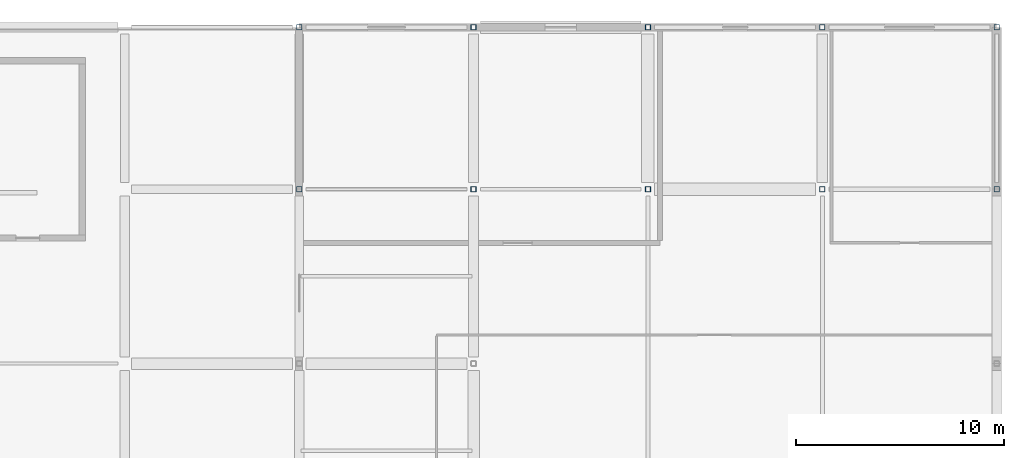
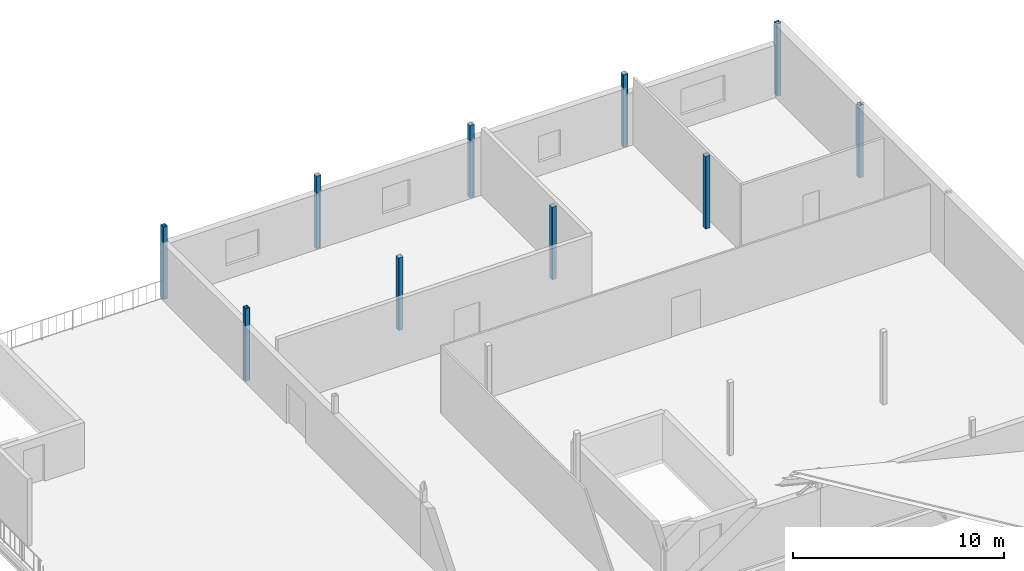
# One storey, part 8 of 64: 10 columns.
"""IFC4 building model written with IfcOpenShell, lengths in metres."""

from ifc_helpers import new_model, si_unit, derived_unit, direction, frame, origin, origin_2d, place, context, subcontext, project, spatial, hollow_rectangle, extrude, material, material_profile, profile_set, type_object, element, save


model = new_model("IFC4")

# Units and contexts
model_context = context("Model", 3, precision=1e-05, world=origin(), true_north=direction((0.0, 1.0)))
body_context = subcontext(model_context, "Body", "Model", "MODEL_VIEW")
ifc_project = project(units=[si_unit("LENGTHUNIT", "METRE"), si_unit("AREAUNIT", "SQUARE_METRE"), si_unit("VOLUMEUNIT", "CUBIC_METRE"), si_unit("PLANEANGLEUNIT", "RADIAN"), si_unit("MASSUNIT", "GRAM", prefix="KILO"), derived_unit("THERMALTRANSMITTANCEUNIT", [(si_unit("POWERUNIT", "WATT"), 1), (si_unit("LENGTHUNIT", "METRE"), -2), (si_unit("THERMODYNAMICTEMPERATUREUNIT", "KELVIN"), -1)])], contexts=[model_context])

# Site, building, storey
site_placement = place(None, origin())
site = spatial("IfcSite", under=ifc_project, at=site_placement, CompositionType="ELEMENT")
building_placement = place(site_placement, origin())
building = spatial("IfcBuilding", under=site, at=building_placement, Name="Barrovel Congress Hotel", CompositionType="ELEMENT")
storey_placement = place(building_placement, frame((0.0, 0.0, 14.10009765625)))
storey = spatial("IfcBuildingStorey", under=building, at=storey_placement, Name="L03", CompositionType="ELEMENT", Elevation=14.10009765625)

# Columns
ifc_material = material(Name="Steel ASTM A500 Grade C", Category="steel")
ifc_material_profile = material_profile(ifc_material, hollow_rectangle(XDim=0.25390625, YDim=0.25390625, WallThickness=0.01171875, InnerFilletRadius=0.01171875, OuterFilletRadius=0.023681640625, at=origin_2d()), Name="HSS254x254x12.7")
ifc_profile_set = profile_set([ifc_material_profile], Name="Steel ASTM A500 Grade C")
column_type = type_object("IfcColumnType", Name="SCOL-HSS254x254x12.7", PredefinedType="COLUMN", material=ifc_profile_set)
for number, where, z_axis, x_axis, name in (
    (1, (142.800048828125, 105.0, 0.0), (0.0, 0.0, 1.0), (1.0, 0.0, 0.0), "COL:L03:142.8:105.0"),
    (2, (142.800048828125, 112.800048828125, 0.0), (0.0, 0.0, 1.0), (1.0, 0.0, 0.0), "COL:L03:142.8:112.8"),
    (3, (151.199951171875, 105.0, 0.0), (0.0, 0.0, 1.0), (1.0, 0.0, 0.0), "COL:L03:151.2:105.0"),
    (4, (151.199951171875, 112.800048828125, 0.0), (0.0, 0.0, 1.0), (1.0, 0.0, 0.0), "COL:L03:151.2:112.8"),
    (5, (159.60009765625, 105.0, 0.0), (0.0, 0.0, 1.0), (1.0, 0.0, 0.0), "COL:L03:159.6:105.0"),
    (6, (159.60009765625, 112.800048828125, 0.0), (0.0, 0.0, 1.0), (1.0, 0.0, 0.0), "COL:L03:159.6:112.8"),
    (7, (168.0, 105.0, 0.0), (0.0, 0.0, 1.0), (1.0, 0.0, 0.0), "COL:L03:168.0:105.0"),
    (8, (168.0, 112.800048828125, 0.0), (0.0, 0.0, 1.0), (1.0, 0.0, 0.0), "COL:L03:168.0:112.8"),
    (9, (176.39990234375, 105.0, 0.0), (0.0, 0.0, 1.0), (1.0, 0.0, 0.0), "COL:L03:176.4:105.0"),
    (10, (176.39990234375, 112.800048828125, 0.0), (0.0, 0.0, 1.0), (1.0, 0.0, 0.0), "COL:L03:176.4:112.8"),
):
    element("IfcColumn", number, at=place(storey_placement, frame(where, z_axis=z_axis, x_axis=x_axis)), inside=storey, type_object=column_type, Name=name, PredefinedType="COLUMN", context=body_context, shape_type="SweptSolid", body=[
        extrude(hollow_rectangle(XDim=0.25390625, YDim=0.25390625, WallThickness=0.01171875, InnerFilletRadius=0.01171875, OuterFilletRadius=0.023681640625, at=origin_2d()), origin(), (0.0, 0.0, 1.0), 4.199951171875),
    ])

save(model, "model.ifc")
